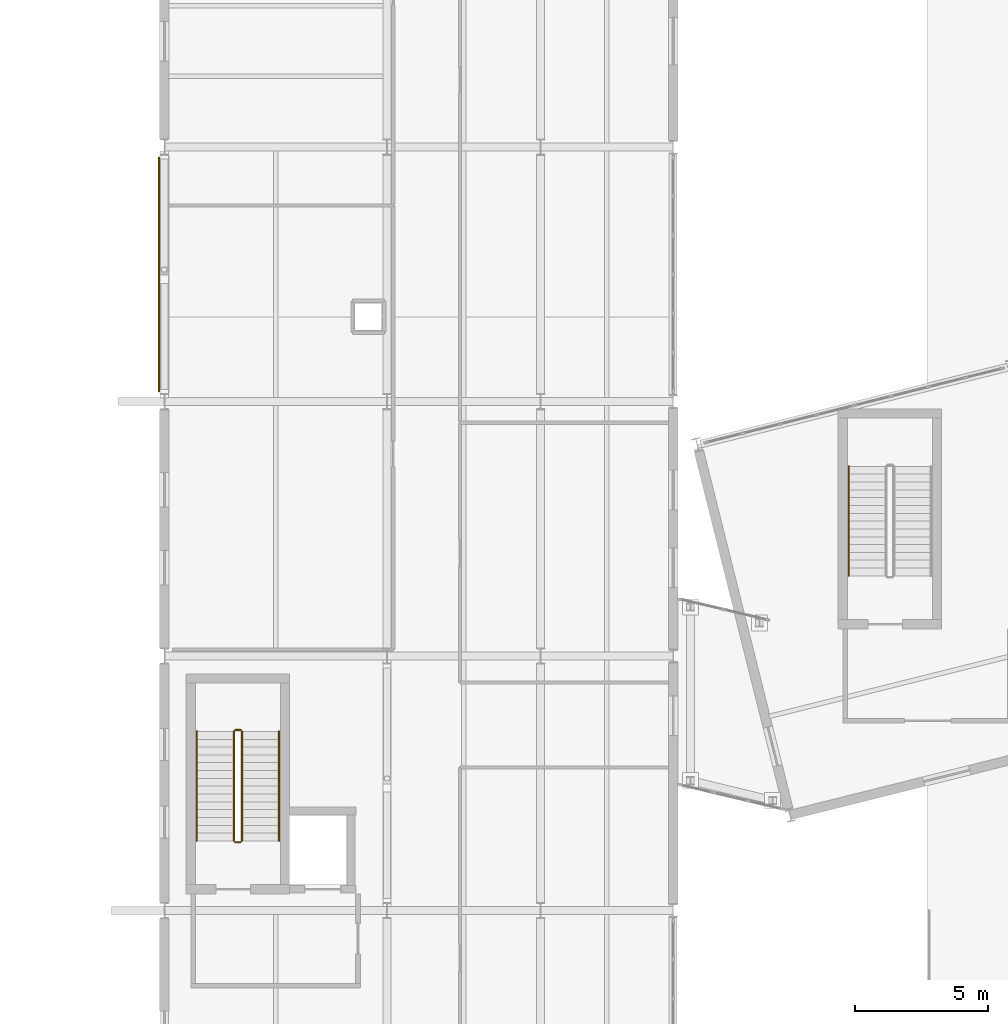
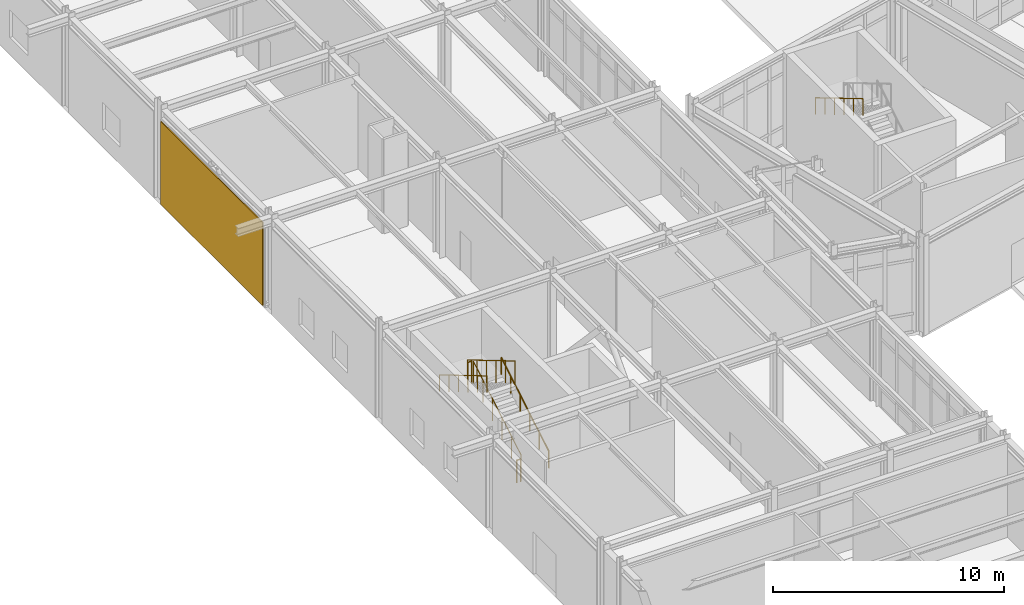
# One storey, part 100 of 109: 7 railings, 1 covering.
"""IFC4 building model written with IfcOpenShell, lengths in metres."""

from ifc_helpers import new_model, si_unit, direction, frame, origin, origin_2d, place, context, subcontext, project, spatial, rectangle, circle, extrude, material, layer, layer_set, type_object, element, save


model = new_model("IFC4")

# Units and contexts
model_context = context("Model", 3, precision=1e-05, world=origin(), true_north=direction((0.0, 1.0)))
body_context = subcontext(model_context, "Body", "Model", "MODEL_VIEW")
ifc_project = project(units=[si_unit("LENGTHUNIT", "METRE"), si_unit("AREAUNIT", "SQUARE_METRE"), si_unit("VOLUMEUNIT", "CUBIC_METRE"), si_unit("PLANEANGLEUNIT", "RADIAN"), si_unit("MASSUNIT", "GRAM", prefix="KILO")], contexts=[model_context])

# Site, building, storey
site_placement = place(None, origin())
site = spatial("IfcSite", under=ifc_project, at=site_placement, CompositionType="ELEMENT")
building_placement = place(site_placement, origin())
building = spatial("IfcBuilding", under=site, at=building_placement, Name="Nordkorset Police Headquarters", CompositionType="ELEMENT")
storey_placement = place(building_placement, origin())
storey = spatial("IfcBuildingStorey", under=building, at=storey_placement, Name="L00", CompositionType="ELEMENT", Elevation=0.0)

# Covering
ifc_material_1 = material(Name="Nordic granite cladding", Category="masonry")
ifc_layer_1 = layer(ifc_material_1, 0.050048828125, Name="Nordic granite cladding")
ifc_layer_set_1 = layer_set([ifc_layer_1], Name="Nordic granite cladding")
covering_type = type_object("IfcCoveringType", Name="Cladding_Nordic_Granite", PredefinedType="CLADDING", material=ifc_layer_set_1)
covering_placement = place(storey_placement, frame((-0.205078125, 62.39990234375, 0.0751953125), z_axis=(0.0, 0.0, 1.0), x_axis=(0.0, 1.0, 0.0)))
element("IfcCovering", 1, at=covering_placement, inside=storey, type_object=covering_type, Name="Nordic Granite Rainscreen Cladding L00 V3W-3", PredefinedType="CLADDING", context=body_context, shape_type="SweptSolid", body=[
    extrude(rectangle(XDim=8.845947265625, YDim=0.050048828125, at=origin_2d()), origin(), (0.0, 0.0, 1.0), 4.389892578125),
])

# Railings
ifc_material_2 = material(Name="Steel S355J2", Category="steel")
ifc_layer_2 = layer(ifc_material_2, 0.048095703125, Name="Steel S355J2")
ifc_layer_set_2 = layer_set([ifc_layer_2], Name="Steel S355J2")
railing_type_1 = type_object("IfcRailingType", Name="Railing_Handrail_900", PredefinedType="HANDRAIL", material=ifc_layer_set_2)
railing_1_placement = place(storey_placement, frame((4.324951171875, 41.02490234375, 0.175048828125)))
element("IfcRailing", 2, at=railing_1_placement, inside=storey, type_object=railing_type_1, Name="L00 ST-04 stair handrail 1", PredefinedType="HANDRAIL", context=body_context, shape_type="SweptSolid", body=[
    extrude(circle(Radius=0.02392578125, at=origin_2d()), frame((0.0, 0.0, 0.8759765625), z_axis=(0.0, 0.860065997128, 0.510182791345), x_axis=(-1.0, 0.0, 0.0)), (0.0, 0.0, 1.0), 4.802001953125),
    extrude(circle(Radius=0.02099609375, at=origin_2d()), origin(), (0.0, 0.0, 1.0), 0.851806640625),
    extrude(circle(Radius=0.02099609375, at=origin_2d()), frame((0.0, 0.825927734375, 0.489990234375)), (0.0, 0.0, 1.0), 0.851806640625),
    extrude(circle(Radius=0.02099609375, at=origin_2d()), frame((0.0, 1.652099609375, 0.97998046875)), (0.0, 0.0, 1.0), 0.851806640625),
    extrude(circle(Radius=0.02099609375, at=origin_2d()), frame((0.0, 2.47802734375, 1.469970703125)), (0.0, 0.0, 1.0), 0.851806640625),
    extrude(circle(Radius=0.02099609375, at=origin_2d()), frame((0.0, 3.30419921875, 1.9599609375)), (0.0, 0.0, 1.0), 0.851806640625),
    extrude(circle(Radius=0.02099609375, at=origin_2d()), frame((0.0, 4.130126953125, 2.449951171875)), (0.0, 0.0, 1.0), 0.851806640625),
])
for number, where, name in (
    (3, (1.22509765625, 45.155029296875, 2.800048828125), "L00 ST-04 stair handrail 2"),
    (4, (25.824951171875, 55.155029296875, 2.800048828125), "L00 ST-08 stair handrail 2"),
):
    element("IfcRailing", number, at=place(storey_placement, frame(where)), inside=storey, type_object=railing_type_1, Name=name, PredefinedType="HANDRAIL", context=body_context, shape_type="SweptSolid", body=[
        extrude(circle(Radius=0.02392578125, at=origin_2d()), frame((0.0, 0.0, 0.8759765625), z_axis=(0.0, -0.860065997128, 0.510182791345), x_axis=(1.0, 0.0, 0.0)), (0.0, 0.0, 1.0), 4.802001953125),
        extrude(circle(Radius=0.02099609375, at=origin_2d()), origin(), (0.0, 0.0, 1.0), 0.851806640625),
        extrude(circle(Radius=0.02099609375, at=origin_2d()), frame((0.0, -0.825927734375, 0.489990234375)), (0.0, 0.0, 1.0), 0.851806640625),
        extrude(circle(Radius=0.02099609375, at=origin_2d()), frame((0.0, -1.652099609375, 0.97998046875)), (0.0, 0.0, 1.0), 0.851806640625),
        extrude(circle(Radius=0.02099609375, at=origin_2d()), frame((0.0, -2.47802734375, 1.469970703125)), (0.0, 0.0, 1.0), 0.851806640625),
        extrude(circle(Radius=0.02099609375, at=origin_2d()), frame((0.0, -3.30419921875, 1.9599609375)), (0.0, 0.0, 1.0), 0.851806640625),
        extrude(circle(Radius=0.02099609375, at=origin_2d()), frame((0.0, -4.130126953125, 2.449951171875)), (0.0, 0.0, 1.0), 0.851806640625),
    ])
ifc_material_3 = material(Name="Steel S355J2", Category="steel")
ifc_layer_3 = layer(ifc_material_3, 0.050048828125, Name="Steel S355J2")
ifc_layer_set_3 = layer_set([ifc_layer_3], Name="Steel S355J2")
railing_type_2 = type_object("IfcRailingType", Name="Railing_StairGuard_1200", PredefinedType="GUARDRAIL", material=ifc_layer_set_3)
railing_2_placement = place(storey_placement, frame((2.925048828125, 41.02490234375, 0.175048828125)))
element("IfcRailing", 5, at=railing_2_placement, inside=storey, type_object=railing_type_2, Name="L00 ST-04 stair guard 1", PredefinedType="GUARDRAIL", context=body_context, shape_type="SweptSolid", body=[
    extrude(circle(Radius=0.02392578125, at=origin_2d()), frame((0.0, 0.0, 1.17578125), z_axis=(0.0, 0.860065997128, 0.510182791345), x_axis=(-1.0, 0.0, 0.0)), (0.0, 0.0, 1.0), 4.802001953125),
    extrude(circle(Radius=0.02099609375, at=origin_2d()), origin(), (0.0, 0.0, 1.0), 1.15185546875),
    extrude(circle(Radius=0.02099609375, at=origin_2d()), frame((0.0, 0.825927734375, 0.489990234375)), (0.0, 0.0, 1.0), 1.15185546875),
    extrude(circle(Radius=0.02099609375, at=origin_2d()), frame((0.0, 1.652099609375, 0.97998046875)), (0.0, 0.0, 1.0), 1.15185546875),
    extrude(circle(Radius=0.02099609375, at=origin_2d()), frame((0.0, 2.47802734375, 1.469970703125)), (0.0, 0.0, 1.0), 1.15185546875),
    extrude(circle(Radius=0.02099609375, at=origin_2d()), frame((0.0, 3.30419921875, 1.9599609375)), (0.0, 0.0, 1.0), 1.15185546875),
    extrude(circle(Radius=0.02099609375, at=origin_2d()), frame((0.0, 4.130126953125, 2.449951171875)), (0.0, 0.0, 1.0), 1.15185546875),
])
railing_3_placement = place(storey_placement, frame((2.875, 45.205078125, 2.625)))
element("IfcRailing", 6, at=railing_3_placement, inside=storey, type_object=railing_type_2, Name="L00 ST-04 stair guard 2", PredefinedType="GUARDRAIL", context=body_context, shape_type="SweptSolid", body=[
    extrude(circle(Radius=0.02392578125, at=origin_2d()), frame((0.0, 0.0, 1.17578125), z_axis=(-1.0, 0.0, 0.0), x_axis=(0.0, -1.0, 0.0)), (0.0, 0.0, 1.0), 0.199951171875),
    extrude(circle(Radius=0.02099609375, at=origin_2d()), origin(), (0.0, 0.0, 1.0), 1.15185546875),
    extrude(circle(Radius=0.02099609375, at=origin_2d()), frame((-0.199951171875, 0.0, 0.0)), (0.0, 0.0, 1.0), 1.15185546875),
])
railing_4_placement = place(storey_placement, frame((2.625, 45.155029296875, 2.800048828125)))
element("IfcRailing", 7, at=railing_4_placement, inside=storey, type_object=railing_type_2, Name="L00 ST-04 stair guard 3", PredefinedType="GUARDRAIL", context=body_context, shape_type="SweptSolid", body=[
    extrude(circle(Radius=0.02392578125, at=origin_2d()), frame((0.0, 0.0, 1.17578125), z_axis=(0.0, -0.860065997128, 0.510182791345), x_axis=(1.0, 0.0, 0.0)), (0.0, 0.0, 1.0), 4.802001953125),
    extrude(circle(Radius=0.02099609375, at=origin_2d()), origin(), (0.0, 0.0, 1.0), 1.15185546875),
    extrude(circle(Radius=0.02099609375, at=origin_2d()), frame((0.0, -0.825927734375, 0.489990234375)), (0.0, 0.0, 1.0), 1.15185546875),
    extrude(circle(Radius=0.02099609375, at=origin_2d()), frame((0.0, -1.652099609375, 0.97998046875)), (0.0, 0.0, 1.0), 1.15185546875),
    extrude(circle(Radius=0.02099609375, at=origin_2d()), frame((0.0, -2.47802734375, 1.469970703125)), (0.0, 0.0, 1.0), 1.15185546875),
    extrude(circle(Radius=0.02099609375, at=origin_2d()), frame((0.0, -3.30419921875, 1.9599609375)), (0.0, 0.0, 1.0), 1.15185546875),
    extrude(circle(Radius=0.02099609375, at=origin_2d()), frame((0.0, -4.130126953125, 2.449951171875)), (0.0, 0.0, 1.0), 1.15185546875),
])
railing_5_placement = place(storey_placement, frame((2.875, 40.97509765625, 0.0)))
element("IfcRailing", 8, at=railing_5_placement, inside=storey, type_object=railing_type_2, Name="L00 ST-04 stair guard 4", PredefinedType="GUARDRAIL", context=body_context, shape_type="SweptSolid", body=[
    extrude(circle(Radius=0.02392578125, at=origin_2d()), frame((0.0, 0.0, 1.17578125), z_axis=(-1.0, 0.0, 0.0), x_axis=(0.0, -1.0, 0.0)), (0.0, 0.0, 1.0), 0.199951171875),
    extrude(circle(Radius=0.02099609375, at=origin_2d()), origin(), (0.0, 0.0, 1.0), 1.15185546875),
    extrude(circle(Radius=0.02099609375, at=origin_2d()), frame((-0.199951171875, 0.0, 0.0)), (0.0, 0.0, 1.0), 1.15185546875),
])

save(model, "model.ifc")
